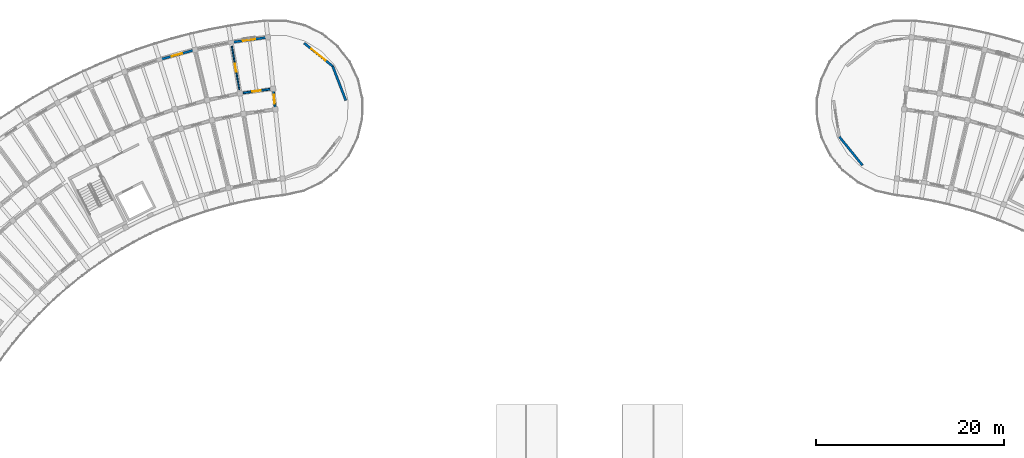
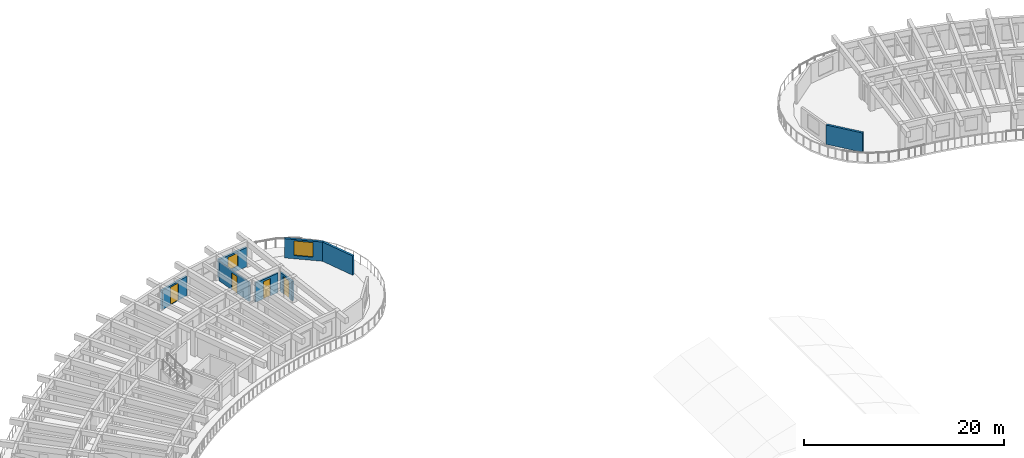
# One storey, part 64 of 96: 8 walls, 4 doors, 2 windows, 6 openings.
"""IFC4 building model written with IfcOpenShell, lengths in metres."""

from ifc_helpers import new_model, si_unit, direction, frame, frame_2d, origin, place, context, subcontext, project, spatial, rectangle, extrude, material, layer, layer_set, type_object, element, fill, save


model = new_model("IFC4")

# Units and contexts
model_context = context("Model", 3, precision=1e-05, world=origin(), true_north=direction((0.0, 1.0)))
body_context = subcontext(model_context, "Body", "Model", "MODEL_VIEW")
ifc_project = project(units=[si_unit("LENGTHUNIT", "METRE"), si_unit("AREAUNIT", "SQUARE_METRE"), si_unit("VOLUMEUNIT", "CUBIC_METRE"), si_unit("PLANEANGLEUNIT", "RADIAN"), si_unit("MASSUNIT", "GRAM", prefix="KILO")], contexts=[model_context])

# Site, building, storey
site_placement = place(None, origin())
site = spatial("IfcSite", under=ifc_project, at=site_placement, CompositionType="ELEMENT")
building_placement = place(site_placement, origin())
building = spatial("IfcBuilding", under=site, at=building_placement, Name="Tanwirah Colonnade Gardens", CompositionType="ELEMENT")
storey_placement = place(building_placement, frame((0.0, 0.0, 12.199951171875)))
storey = spatial("IfcBuildingStorey", under=building, at=storey_placement, Name="L03", CompositionType="ELEMENT", Elevation=12.199951171875)

# Wall
ifc_material_1 = material(Name="Limestone architectural precast concrete C40/50", Category="masonry")
ifc_layer_1 = layer(ifc_material_1, 0.239990234375)
ifc_layer_set_1 = layer_set([ifc_layer_1], Name="Limestone architectural precast concrete C40/50")
wall_type_1 = type_object("IfcWallType", Name="EW-PC240", PredefinedType="SOLIDWALL", material=ifc_layer_set_1)
wall_1_placement = place(storey_placement, frame((121.997802734375, 105.80712890625, 0.0), z_axis=(0.0, 0.0, 1.0), x_axis=(-0.629331205321, 0.777137204109, 0.0)))
element("IfcWall", 1, at=wall_1_placement, inside=storey, type_object=wall_type_1, Name="Block B L03 END Rounded End Wall 1", PredefinedType="SOLIDWALL", context=body_context, shape_type="SweptSolid", body=[
    extrude(rectangle(XDim=3.907958984375, YDim=0.239990234375, at=frame_2d((1.9541015625, 0.0))), origin(), (0.0, 0.0, 1.0), 2.35498046875),
])

# Wall, opening, window
ifc_layer_2 = layer(ifc_material_1, 0.2451171875)
ifc_layer_set_2 = layer_set([ifc_layer_2], Name="Limestone architectural precast concrete C40/50")
wall_type_2 = type_object("IfcWallType", Name="EW-PC245", PredefinedType="SOLIDWALL", material=ifc_layer_set_2)
wall_2_placement = place(storey_placement, frame((58.53271484375, 119.39013671875, 0.0), z_axis=(0.0, 0.0, 1.0), x_axis=(-0.990539718913, -0.137226328578, 0.0)))
wall_2 = element("IfcWall", 2, at=wall_2_placement, inside=storey, type_object=wall_type_2, Name="Block A L03 OUT Precast Facade Wall 0", PredefinedType="SOLIDWALL", context=body_context, shape_type="SweptSolid", body=[
    extrude(rectangle(XDim=3.520751953125, YDim=0.2451171875, at=frame_2d((1.76025390625, 0.0))), origin(), (0.0, 0.0, 1.0), 2.35498046875),
])
opening_1_placement = place(wall_2_placement, frame((1.1103515625, 0.0, 0.550048828125)))
opening_1 = element("IfcOpeningElement", 3, at=opening_1_placement, cuts=wall_2, Name="Opening WIN-T04", PredefinedType="OPENING", context=body_context, shape_type="SweptSolid", body=[
    extrude(rectangle(XDim=1.300048828125, YDim=1.60009765625, at=frame_2d((0.64990234375, 0.800048828125))), frame((0.0, 0.132568359375, 0.0), z_axis=(0.0, -1.0, 0.0), x_axis=(1.0, 0.0, 0.0)), (0.0, 0.0, 1.0), 0.26513671875),
])
ifc_material_2 = material(Name="Thermally broken bronze aluminium and solar low-E double glazing", Category="aluminium")
window_type_1 = type_object("IfcWindowType", Name="WIN-T04", PartitioningType="DOUBLE_PANEL_VERTICAL", PredefinedType="WINDOW", material=ifc_material_2)
window_1_placement = place(opening_1_placement, origin())
window_1 = element("IfcWindow", 4, at=window_1_placement, inside=storey, type_object=window_type_1, Name="Facade window A-L03-OUT-00", OverallHeight=1.60009765625, OverallWidth=1.300048828125, PartitioningType="SINGLE_PANEL", PredefinedType="WINDOW", context=body_context, shape_type="SweptSolid", body=[
    extrude(rectangle(XDim=1.300048828125, YDim=1.60009765625, at=frame_2d((0.64990234375, 0.800048828125))), frame((0.0, 0.030029296875, 0.0), z_axis=(0.0, -1.0, 0.0), x_axis=(1.0, 0.0, 0.0)), (0.0, 0.0, 1.0), 0.06005859375),
])
fill(opening_1, window_1)

# Wall, opening, door
wall_3_placement = place(storey_placement, frame((50.80615234375, 118.02587890625, 0.0), z_axis=(0.0, 0.0, 1.0), x_axis=(-0.963899390209, -0.266266718826, 0.0)))
wall_3 = element("IfcWall", 5, at=wall_3_placement, inside=storey, type_object=wall_type_2, Name="Block A L03 OUT Precast Facade Wall 2", PredefinedType="SOLIDWALL", context=body_context, shape_type="SweptSolid", body=[
    extrude(rectangle(XDim=3.52099609375, YDim=0.2451171875, at=frame_2d((1.760498046875, 0.0))), origin(), (0.0, 0.0, 1.0), 2.35498046875),
])
opening_2_placement = place(wall_3_placement, frame((1.1904296875, 0.0, 0.0)))
opening_2 = element("IfcOpeningElement", 6, at=opening_2_placement, cuts=wall_3, Name="Opening L03-ED013", PredefinedType="OPENING", context=body_context, shape_type="SweptSolid", body=[
    extrude(rectangle(XDim=1.139892578125, YDim=2.159912109375, at=frame_2d((0.56982421875, 1.080078125))), frame((0.0, 0.132568359375, 0.0), z_axis=(0.0, -1.0, 0.0), x_axis=(1.0, 0.0, 0.0)), (0.0, 0.0, 1.0), 0.26513671875),
])
ifc_material_3 = material(Name="Bronze aluminium glazed balcony door", Category="aluminium")
door_type_1 = type_object("IfcDoorType", Name="ED-BAL114", OperationType="NOTDEFINED", PredefinedType="DOOR", material=ifc_material_3)
door_1_placement = place(opening_2_placement, origin())
door_1 = element("IfcDoor", 7, at=door_1_placement, inside=storey, type_object=door_type_1, Name="Balcony glazed door L03-ED013", OperationType="SINGLE_SWING_RIGHT", OverallHeight=2.159912109375, OverallWidth=1.139892578125, PredefinedType="DOOR", context=body_context, shape_type="SweptSolid", body=[
    extrude(rectangle(XDim=1.139892578125, YDim=2.159912109375, at=frame_2d((0.56982421875, 1.080078125))), frame((0.0, 0.02490234375, 0.0), z_axis=(0.0, -1.0, 0.0), x_axis=(1.0, 0.0, 0.0)), (0.0, 0.0, 1.0), 0.050048828125),
])
fill(opening_2, door_1)

# Wall, opening, window
wall_4_placement = place(storey_placement, frame((62.635498046875, 118.8125, 0.0), z_axis=(0.0, 0.0, 1.0), x_axis=(0.777137204109, -0.629331205321, 0.0)))
wall_4 = element("IfcWall", 8, at=wall_4_placement, inside=storey, type_object=wall_type_2, Name="Block A L03 START Rounded End Wall 1", PredefinedType="SOLIDWALL", context=body_context, shape_type="SweptSolid", body=[
    extrude(rectangle(XDim=3.907958984375, YDim=0.2451171875, at=frame_2d((1.9541015625, 0.0))), origin(), (0.0, 0.0, 1.0), 2.35498046875),
])
opening_3_placement = place(wall_4_placement, frame((0.97900390625, 0.0, 0.39990234375)))
opening_3 = element("IfcOpeningElement", 9, at=opening_3_placement, cuts=wall_4, Name="Opening WIN-END2", PredefinedType="OPENING", context=body_context, shape_type="SweptSolid", body=[
    extrude(rectangle(XDim=1.949951171875, YDim=1.780029296875, at=frame_2d((0.97509765625, 0.89013671875))), frame((0.0, 0.132568359375, 0.0), z_axis=(0.0, -1.0, 0.0), x_axis=(1.0, 0.0, 0.0)), (0.0, 0.0, 1.0), 0.26513671875),
])
window_type_2 = type_object("IfcWindowType", Name="WIN-END2", PartitioningType="TRIPLE_PANEL_VERTICAL", PredefinedType="WINDOW", material=ifc_material_2)
window_2_placement = place(opening_3_placement, origin())
window_2 = element("IfcWindow", 10, at=window_2_placement, inside=storey, type_object=window_type_2, Name="Rounded corner window A-L03-START-1", OverallHeight=1.780029296875, OverallWidth=1.949951171875, PartitioningType="SINGLE_PANEL", PredefinedType="WINDOW", context=body_context, shape_type="SweptSolid", body=[
    extrude(rectangle(XDim=1.949951171875, YDim=1.780029296875, at=frame_2d((0.97509765625, 0.89013671875))), frame((0.0, 0.030029296875, 0.0), z_axis=(0.0, -1.0, 0.0), x_axis=(1.0, 0.0, 0.0)), (0.0, 0.0, 1.0), 0.06005859375),
])
fill(opening_3, window_2)

# Wall
wall_5_placement = place(storey_placement, frame((65.672607421875, 116.35302734375, 0.0), z_axis=(0.0, 0.0, 1.0), x_axis=(0.358376224971, -0.933577249817, 0.0)))
element("IfcWall", 11, at=wall_5_placement, inside=storey, type_object=wall_type_2, Name="Block A L03 START Rounded End Wall 2", PredefinedType="SOLIDWALL", context=body_context, shape_type="SweptSolid", body=[
    extrude(rectangle(XDim=3.908203125, YDim=0.2451171875, at=frame_2d((1.9541015625, 0.0))), origin(), (0.0, 0.0, 1.0), 2.35498046875),
])

# Wall, opening, door
ifc_material_4 = material(Name="Precast concrete C40/50", Category="concrete")
ifc_layer_3 = layer(ifc_material_4, 0.205078125)
ifc_layer_set_3 = layer_set([ifc_layer_3], Name="Precast concrete C40/50")
wall_type_3 = type_object("IfcWallType", Name="IW-CORR205", PredefinedType="PARTITIONING", material=ifc_layer_set_3)
wall_6_placement = place(storey_placement, frame((59.003662109375, 113.90576171875, 0.0), z_axis=(0.0, 0.0, 1.0), x_axis=(-0.990544162976, -0.137194246211, 0.0)))
wall_6 = element("IfcWall", 12, at=wall_6_placement, inside=storey, type_object=wall_type_3, Name="Block A L03 OUT Corridor Wall 0", PredefinedType="PARTITIONING", context=body_context, shape_type="SweptSolid", body=[
    extrude(rectangle(XDim=2.86328125, YDim=0.205078125, at=frame_2d((1.431640625, 0.0))), origin(), (0.0, 0.0, 1.0), 2.3701171875),
])
opening_4_placement = place(wall_6_placement, frame((0.966552734375, 0.0, 0.0)))
opening_4 = element("IfcOpeningElement", 13, at=opening_4_placement, cuts=wall_6, Name="Opening L03-AD346", PredefinedType="OPENING", context=body_context, shape_type="SweptSolid", body=[
    extrude(rectangle(XDim=0.929931640625, YDim=2.1201171875, at=frame_2d((0.46484375, 1.06005859375))), frame((0.0, 0.112548828125, 0.0), z_axis=(0.0, -1.0, 0.0), x_axis=(1.0, 0.0, 0.0)), (0.0, 0.0, 1.0), 0.22509765625),
])
ifc_material_5 = material(Name="Solid oak fire-resisting apartment entrance door")
door_type_2 = type_object("IfcDoorType", Name="ID-FLT093", OperationType="NOTDEFINED", PredefinedType="DOOR", material=ifc_material_5)
door_2_placement = place(opening_4_placement, origin())
door_2 = element("IfcDoor", 14, at=door_2_placement, inside=storey, type_object=door_type_2, Name="Apartment corridor door L03-AD346", OperationType="SINGLE_SWING_RIGHT", OverallHeight=2.1201171875, OverallWidth=0.929931640625, PredefinedType="DOOR", context=body_context, shape_type="SweptSolid", body=[
    extrude(rectangle(XDim=0.929931640625, YDim=2.1201171875, at=frame_2d((0.46484375, 1.06005859375))), frame((0.0, 0.02490234375, 0.0), z_axis=(0.0, -1.0, 0.0), x_axis=(1.0, 0.0, 0.0)), (0.0, 0.0, 1.0), 0.050048828125),
])
fill(opening_4, door_2)

wall_7_placement = place(storey_placement, frame((59.574951171875, 111.815673828125, 0.0), z_axis=(0.0, 0.0, 1.0), x_axis=(-0.104509292252, 0.994523910136, 0.0)))
wall_7 = element("IfcWall", 15, at=wall_7_placement, inside=storey, type_object=wall_type_3, Name="Block A L03 CS Corner Suite Corridor Wall", PredefinedType="PARTITIONING", context=body_context, shape_type="SweptSolid", body=[
    extrude(rectangle(XDim=2.10009765625, YDim=0.205078125, at=frame_2d((1.050048828125, 0.0))), origin(), (0.0, 0.0, 1.0), 2.3701171875),
])
opening_5_placement = place(wall_7_placement, frame((0.570068359375, 0.0, 0.0)))
opening_5 = element("IfcOpeningElement", 16, at=opening_5_placement, cuts=wall_7, Name="Opening L03-CD387", PredefinedType="OPENING", context=body_context, shape_type="SweptSolid", body=[
    extrude(rectangle(XDim=0.949951171875, YDim=2.1298828125, at=frame_2d((0.47509765625, 1.06494140625))), frame((0.0, 0.112548828125, 0.0), z_axis=(0.0, -1.0, 0.0), x_axis=(1.0, 0.0, 0.0)), (0.0, 0.0, 1.0), 0.22509765625),
])
door_type_3 = type_object("IfcDoorType", Name="ID-FLT095", OperationType="NOTDEFINED", PredefinedType="DOOR", material=ifc_material_5)
door_3_placement = place(opening_5_placement, origin())
door_3 = element("IfcDoor", 17, at=door_3_placement, inside=storey, type_object=door_type_3, Name="Corner suite entrance door L03-CD387", OperationType="SINGLE_SWING_LEFT", OverallHeight=2.1298828125, OverallWidth=0.949951171875, PredefinedType="DOOR", context=body_context, shape_type="SweptSolid", body=[
    extrude(rectangle(XDim=0.949951171875, YDim=2.1298828125, at=frame_2d((0.47509765625, 1.06494140625))), frame((0.0, 0.02490234375, 0.0), z_axis=(0.0, -1.0, 0.0), x_axis=(1.0, 0.0, 0.0)), (0.0, 0.0, 1.0), 0.050048828125),
])
fill(opening_5, door_3)

ifc_material_6 = material(Name="Water-resistant acoustic plumbing partition")
ifc_layer_4 = layer(ifc_material_6, 0.139892578125)
ifc_layer_set_4 = layer_set([ifc_layer_4], Name="Water-resistant acoustic plumbing partition")
wall_type_4 = type_object("IfcWallType", Name="IW-WET140", PredefinedType="PLUMBINGWALL", material=ifc_layer_set_4)
wall_8_placement = place(storey_placement, frame((55.7529296875, 113.859130859375, 0.0), z_axis=(0.0, 0.0, 1.0), x_axis=(-0.169812980219, 0.985476307046, 0.0)))
wall_8 = element("IfcWall", 18, at=wall_8_placement, inside=storey, type_object=wall_type_4, Name="Block A L03 Radial Partition 0", PredefinedType="PLUMBINGWALL", context=body_context, shape_type="SweptSolid", body=[
    extrude(rectangle(XDim=4.699951171875, YDim=0.139892578125, at=frame_2d((2.35009765625, 0.0))), origin(), (0.0, 0.0, 1.0), 2.3701171875),
])
opening_6_placement = place(wall_8_placement, frame((1.919921875, 0.0, 0.0)))
opening_6 = element("IfcOpeningElement", 19, at=opening_6_placement, cuts=wall_8, Name="Opening L03-RD348", PredefinedType="OPENING", context=body_context, shape_type="SweptSolid", body=[
    extrude(rectangle(XDim=0.860107421875, YDim=2.06005859375, at=frame_2d((0.43017578125, 1.030029296875))), frame((0.0, 0.079833984375, 0.0), z_axis=(0.0, -1.0, 0.0), x_axis=(1.0, 0.0, 0.0)), (0.0, 0.0, 1.0), 0.159912109375),
])
ifc_material_7 = material(Name="Moisture-resistant bathroom door")
door_type_4 = type_object("IfcDoorType", Name="ID-WET086", OperationType="NOTDEFINED", PredefinedType="DOOR", material=ifc_material_7)
door_4_placement = place(opening_6_placement, origin())
door_4 = element("IfcDoor", 20, at=door_4_placement, inside=storey, type_object=door_type_4, Name="Internal apartment door L03-RD348", OperationType="SINGLE_SWING_RIGHT", OverallHeight=2.06005859375, OverallWidth=0.860107421875, PredefinedType="DOOR", context=body_context, shape_type="SweptSolid", body=[
    extrude(rectangle(XDim=0.860107421875, YDim=2.06005859375, at=frame_2d((0.43017578125, 1.030029296875))), frame((0.0, 0.02490234375, 0.0), z_axis=(0.0, -1.0, 0.0), x_axis=(1.0, 0.0, 0.0)), (0.0, 0.0, 1.0), 0.050048828125),
])
fill(opening_6, door_4)

save(model, "model.ifc")
